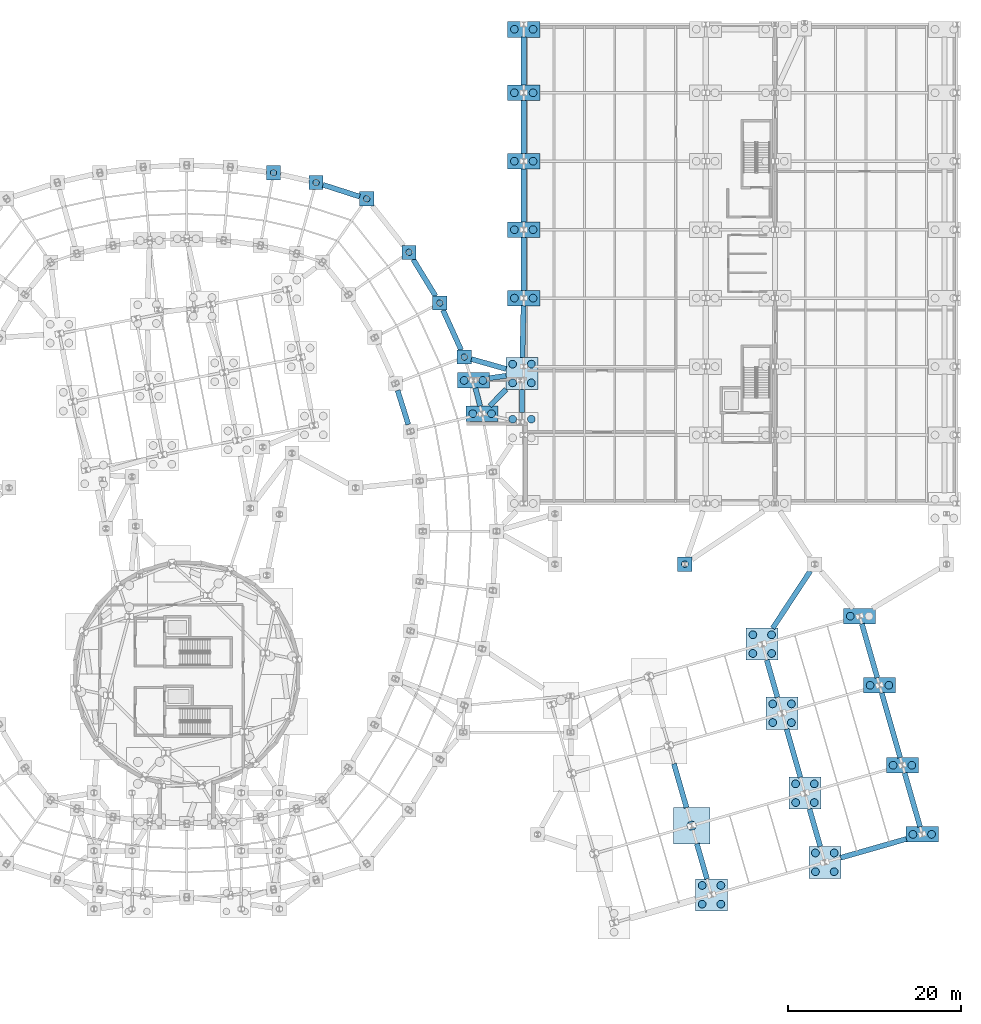
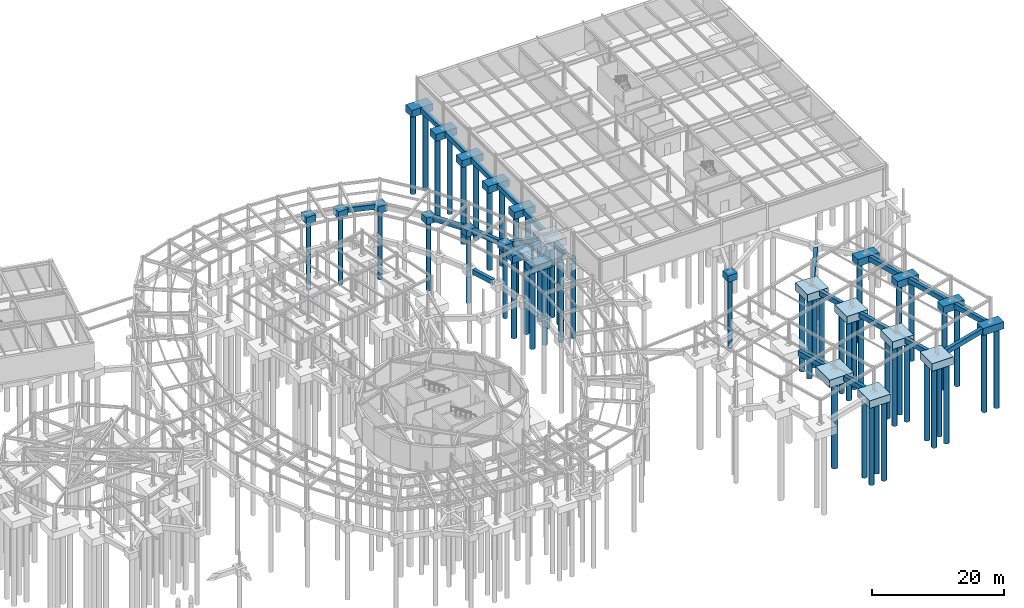
# One storey, part 8 of 50: 55 piles, 49 footings.
"""IFC4 building model written with IfcOpenShell, lengths in metres."""

from ifc_helpers import new_model, si_unit, direction, frame, origin, origin_2d, place, context, subcontext, project, spatial, rectangle, circle, extrude, material, material_profile, profile_set, type_object, element, save


model = new_model("IFC4")

# Units and contexts
model_context = context("Model", 3, precision=1e-05, world=origin(), true_north=direction((0.0, 1.0)))
body_context = subcontext(model_context, "Body", "Model", "MODEL_VIEW")
ifc_project = project(units=[si_unit("LENGTHUNIT", "METRE"), si_unit("AREAUNIT", "SQUARE_METRE"), si_unit("VOLUMEUNIT", "CUBIC_METRE"), si_unit("PLANEANGLEUNIT", "RADIAN"), si_unit("MASSUNIT", "GRAM", prefix="KILO")], contexts=[model_context])

# Site, building, storey
site_placement = place(None, origin())
site = spatial("IfcSite", under=ifc_project, at=site_placement, CompositionType="ELEMENT")
building_placement = place(site_placement, origin())
building = spatial("IfcBuilding", under=site, at=building_placement, Name="Varnklinge Art Gallery", CompositionType="ELEMENT")
storey_placement = place(building_placement, frame((0.0, 0.0, -4.800048828125)))
storey = spatial("IfcBuildingStorey", under=building, at=storey_placement, Name="B01", CompositionType="ELEMENT", Elevation=-4.800048828125)

# Footings
ifc_material_1 = material(Name="Concrete C35/45", Category="concrete")
footing_type_1 = type_object("IfcFootingType", Name="FB-08", PredefinedType="FOOTING_BEAM", material=ifc_material_1)
footing_1_placement = place(storey_placement, frame((114.199951171875, 70.02490234375, -0.89990234375), z_axis=(0.0, 0.0, 1.0), x_axis=(0.0, 1.0, 0.0)))
element("IfcFooting", 1, at=footing_1_placement, inside=storey, type_object=footing_type_1, Name="B01 Ground Tie Beam FBM-166", PredefinedType="FOOTING_BEAM", context=body_context, shape_type="SweptSolid", body=[
    extrude(rectangle(XDim=2.68994140625, YDim=0.60009765625, at=origin_2d()), origin(), (0.0, 0.0, 1.0), 0.89990234375),
])
ifc_material_2 = material(Name="Concrete C35/45", Category="concrete")
footing_type_2 = type_object("IfcFootingType", Name="FB-14", PredefinedType="FOOTING_BEAM", material=ifc_material_2)
footing_2_placement = place(storey_placement, frame((134.9658203125, 16.8974609375, -0.89990234375), z_axis=(0.0, 0.0, 1.0), x_axis=(-0.275637355817, 0.961261695938, 0.0)))
element("IfcFooting", 2, at=footing_2_placement, inside=storey, type_object=footing_type_2, Name="B01 Ground Tie Beam FBM-020", PredefinedType="FOOTING_BEAM", context=body_context, shape_type="SweptSolid", body=[
    extrude(rectangle(XDim=4.23291015625, YDim=0.60009765625, at=origin_2d()), origin(), (0.0, 0.0, 1.0), 0.89990234375),
])
footing_3_placement = place(storey_placement, frame((100.4619140625, 69.283447265625, -0.89990234375), z_axis=(0.0, 0.0, 1.0), x_axis=(-0.299873410064, 0.953979002881, 0.0)))
element("IfcFooting", 3, at=footing_3_placement, inside=storey, type_object=footing_type_2, Name="B01 Ground Tie Beam FBM-171", PredefinedType="FOOTING_BEAM", context=body_context, shape_type="SweptSolid", body=[
    extrude(rectangle(XDim=4.122802734375, YDim=0.60009765625, at=origin_2d()), origin(), (0.0, 0.0, 1.0), 0.89990234375),
])
footing_4_placement = place(storey_placement, frame((110.360595703125, 74.294677734375, -0.89990234375), z_axis=(0.0, 0.0, 1.0), x_axis=(0.961693479997, -0.274127070043, 0.0)))
element("IfcFooting", 4, at=footing_4_placement, inside=storey, type_object=footing_type_2, Name="B01 Ground Tie Beam FBM-189", PredefinedType="FOOTING_BEAM", context=body_context, shape_type="SweptSolid", body=[
    extrude(rectangle(XDim=4.17919921875, YDim=0.60009765625, at=origin_2d()), origin(), (0.0, 0.0, 1.0), 0.89990234375),
])
ifc_material_3 = material(Name="Concrete C35/45", Category="concrete")
footing_type_3 = type_object("IfcFootingType", Name="FB-15", PredefinedType="FOOTING_BEAM", material=ifc_material_3)
footing_5_placement = place(storey_placement, frame((111.42724609375, 70.407958984375, -1.199951171875), z_axis=(0.0, 0.0, 1.0), x_axis=(0.704634209964, 0.709570736537, 0.0)))
element("IfcFooting", 5, at=footing_5_placement, inside=storey, type_object=footing_type_3, Name="B01 Ground Tie Beam FBM-175", PredefinedType="FOOTING_BEAM", context=body_context, shape_type="SweptSolid", body=[
    extrude(rectangle(XDim=2.711669921875, YDim=0.60009765625, at=origin_2d()), origin(), (0.0, 0.0, 1.0), 0.89990234375),
])
ifc_material_4 = material(Name="Concrete C35/45", Category="concrete")
footing_type_4 = type_object("IfcFootingType", Name="FB-16", PredefinedType="FOOTING_BEAM", material=ifc_material_4)
footing_6_placement = place(storey_placement, frame((148.00341796875, 20.77099609375, -0.89990234375), z_axis=(0.0, 0.0, 1.0), x_axis=(-0.275637355817, 0.961261695938, 0.0)))
element("IfcFooting", 6, at=footing_6_placement, inside=storey, type_object=footing_type_4, Name="B01 Ground Tie Beam FBM-031", PredefinedType="FOOTING_BEAM", context=body_context, shape_type="SweptSolid", body=[
    extrude(rectangle(XDim=4.491943359375, YDim=0.60009765625, at=origin_2d()), origin(), (0.0, 0.0, 1.0), 0.89990234375),
])
footing_7_placement = place(storey_placement, frame((143.070068359375, 37.9775390625, -0.89990234375), z_axis=(0.0, 0.0, 1.0), x_axis=(-0.275637355817, 0.961261695938, 0.0)))
element("IfcFooting", 7, at=footing_7_placement, inside=storey, type_object=footing_type_4, Name="B01 Ground Tie Beam FBM-090", PredefinedType="FOOTING_BEAM", context=body_context, shape_type="SweptSolid", body=[
    extrude(rectangle(XDim=4.4931640625, YDim=0.60009765625, at=origin_2d()), origin(), (0.0, 0.0, 1.0), 0.89990234375),
])
footing_8_placement = place(storey_placement, frame((93.3505859375, 94.298583984375, -0.89990234375), z_axis=(0.0, 0.0, 1.0), x_axis=(-0.952076024345, 0.305861478234, 0.0)))
element("IfcFooting", 8, at=footing_8_placement, inside=storey, type_object=footing_type_4, Name="B01 Ground Tie Beam FBM-241", PredefinedType="FOOTING_BEAM", context=body_context, shape_type="SweptSolid", body=[
    extrude(rectangle(XDim=4.444091796875, YDim=0.60009765625, at=origin_2d()), origin(), (0.0, 0.0, 1.0), 0.89990234375),
])
ifc_material_5 = material(Name="Concrete C35/45", Category="concrete")
footing_type_5 = type_object("IfcFootingType", Name="FB-17", PredefinedType="FOOTING_BEAM", material=ifc_material_5)
footing_9_placement = place(storey_placement, frame((145.537109375, 29.3740234375, -0.89990234375), z_axis=(0.0, 0.0, 1.0), x_axis=(-0.275637355817, 0.961261695938, 0.0)))
element("IfcFooting", 9, at=footing_9_placement, inside=storey, type_object=footing_type_5, Name="B01 Ground Tie Beam FBM-066", PredefinedType="FOOTING_BEAM", context=body_context, shape_type="SweptSolid", body=[
    extrude(rectangle(XDim=5.79248046875, YDim=0.60009765625, at=origin_2d()), origin(), (0.0, 0.0, 1.0), 0.89990234375),
])
ifc_material_6 = material(Name="Concrete C35/45", Category="concrete")
footing_type_6 = type_object("IfcFootingType", Name="FB-18", PredefinedType="FOOTING_BEAM", material=ifc_material_6)
footing_10_placement = place(storey_placement, frame((154.7705078125, 18.39453125, -0.89990234375), z_axis=(0.0, 0.0, 1.0), x_axis=(0.961261695938, 0.275637355817, 0.0)))
element("IfcFooting", 10, at=footing_10_placement, inside=storey, type_object=footing_type_6, Name="B01 Ground Tie Beam FBM-032", PredefinedType="FOOTING_BEAM", context=body_context, shape_type="SweptSolid", body=[
    extrude(rectangle(XDim=7.892578125, YDim=0.60009765625, at=origin_2d()), origin(), (0.0, 0.0, 1.0), 0.89990234375),
])
footing_11_placement = place(storey_placement, frame((156.782958984375, 32.59912109375, -0.89990234375), z_axis=(0.0, 0.0, 1.0), x_axis=(-0.275637355817, 0.961261695938, 0.0)))
element("IfcFooting", 11, at=footing_11_placement, inside=storey, type_object=footing_type_6, Name="B01 Ground Tie Beam FBM-076", PredefinedType="FOOTING_BEAM", context=body_context, shape_type="SweptSolid", body=[
    extrude(rectangle(XDim=7.768798828125, YDim=0.60009765625, at=origin_2d()), origin(), (0.0, 0.0, 1.0), 0.89990234375),
])
footing_12_placement = place(storey_placement, frame((145.30029296875, 47.095947265625, -0.89990234375), z_axis=(0.0, 0.0, 1.0), x_axis=(0.549606187772, 0.835423867485, 0.0)))
element("IfcFooting", 12, at=footing_12_placement, inside=storey, type_object=footing_type_6, Name="B01 Ground Tie Beam FBM-108", PredefinedType="FOOTING_BEAM", context=body_context, shape_type="SweptSolid", body=[
    extrude(rectangle(XDim=7.897705078125, YDim=0.60009765625, at=origin_2d()), origin(), (0.0, 0.0, 1.0), 0.89990234375),
])
ifc_material_7 = material(Name="Concrete C35/45", Category="concrete")
footing_type_7 = type_object("IfcFootingType", Name="FB-20", PredefinedType="FOOTING_BEAM", material=ifc_material_7)
footing_13_placement = place(storey_placement, frame((111.39990234375, 72.800048828125, -1.199951171875), z_axis=(0.0, 0.0, 1.0), x_axis=(0.989949746297, 0.141419587774, 0.0)))
element("IfcFooting", 13, at=footing_13_placement, inside=storey, type_object=footing_type_7, Name="B01 Ground Tie Beam FBM-181", PredefinedType="FOOTING_BEAM", context=body_context, shape_type="SweptSolid", body=[
    extrude(rectangle(XDim=1.959716796875, YDim=0.60009765625, at=origin_2d()), origin(), (0.0, 0.0, 1.0), 0.89990234375),
])
ifc_material_8 = material(Name="Concrete C35/45", Category="concrete")
footing_type_8 = type_object("IfcFootingType", Name="FB-21", PredefinedType="FOOTING_BEAM", material=ifc_material_8)
footing_14_placement = place(storey_placement, frame((159.25, 23.99609375, -0.89990234375), z_axis=(0.0, 0.0, 1.0), x_axis=(-0.275637355817, 0.961261695938, 0.0)))
element("IfcFooting", 14, at=footing_14_placement, inside=storey, type_object=footing_type_8, Name="B01 Ground Tie Beam FBM-040", PredefinedType="FOOTING_BEAM", context=body_context, shape_type="SweptSolid", body=[
    extrude(rectangle(XDim=6.46875, YDim=0.60009765625, at=origin_2d()), origin(), (0.0, 0.0, 1.0), 0.89990234375),
])
footing_15_placement = place(storey_placement, frame((154.31640625, 41.202392578125, -0.89990234375), z_axis=(0.0, 0.0, 1.0), x_axis=(-0.275469579804, 0.961309789091, 0.0)))
element("IfcFooting", 15, at=footing_15_placement, inside=storey, type_object=footing_type_8, Name="B01 Ground Tie Beam FBM-097", PredefinedType="FOOTING_BEAM", context=body_context, shape_type="SweptSolid", body=[
    extrude(rectangle(XDim=6.469482421875, YDim=0.60009765625, at=origin_2d()), origin(), (0.0, 0.0, 1.0), 0.89990234375),
])
ifc_material_9 = material(Name="Concrete C35/45", Category="concrete")
footing_type_9 = type_object("IfcFootingType", Name="FB-22", PredefinedType="FOOTING_BEAM", material=ifc_material_9)
footing_16_placement = place(storey_placement, frame((132.462890625, 25.6259765625, -0.89990234375), z_axis=(0.0, 0.0, 1.0), x_axis=(-0.275637355817, 0.961261695938, 0.0)))
element("IfcFooting", 16, at=footing_16_placement, inside=storey, type_object=footing_type_9, Name="B01 Ground Tie Beam FBM-041", PredefinedType="FOOTING_BEAM", context=body_context, shape_type="SweptSolid", body=[
    extrude(rectangle(XDim=5.272216796875, YDim=0.60009765625, at=origin_2d()), origin(), (0.0, 0.0, 1.0), 0.89990234375),
])
ifc_material_10 = material(Name="Concrete C35/45", Category="concrete")
footing_type_10 = type_object("IfcFootingType", Name="FB-28", PredefinedType="FOOTING_BEAM", material=ifc_material_10)
footing_17_placement = place(storey_placement, frame((106.131103515625, 78.214111328125, -0.89990234375), z_axis=(0.0, 0.0, 1.0), x_axis=(-0.413422293217, 0.910539404678, 0.0)))
element("IfcFooting", 17, at=footing_17_placement, inside=storey, type_object=footing_type_10, Name="B01 Ground Tie Beam FBM-188", PredefinedType="FOOTING_BEAM", context=body_context, shape_type="SweptSolid", body=[
    extrude(rectangle(XDim=5.078125, YDim=0.60009765625, at=origin_2d()), origin(), (0.0, 0.0, 1.0), 0.89990234375),
])
footing_18_placement = place(storey_placement, frame((102.93310546875, 84.2529296875, -0.89990234375), z_axis=(0.0, 0.0, 1.0), x_axis=(-0.520860651188, 0.85364171761, 0.0)))
element("IfcFooting", 18, at=footing_18_placement, inside=storey, type_object=footing_type_10, Name="B01 Ground Tie Beam FBM-203", PredefinedType="FOOTING_BEAM", context=body_context, shape_type="SweptSolid", body=[
    extrude(rectangle(XDim=4.9599609375, YDim=0.60009765625, at=origin_2d()), origin(), (0.0, 0.0, 1.0), 0.89990234375),
])
ifc_material_11 = material(Name="Concrete C35/45", Category="concrete")
footing_type_11 = type_object("IfcFootingType", Name="FB-32", PredefinedType="FOOTING_BEAM", material=ifc_material_11)
footing_19_placement = place(storey_placement, frame((109.09912109375, 70.48291015625, -1.199951171875), z_axis=(0.0, 0.0, 1.0), x_axis=(-0.251900457292, 0.967753150145, 0.0)))
element("IfcFooting", 19, at=footing_19_placement, inside=storey, type_object=footing_type_11, Name="B01 Ground Tie Beam FBM-174", PredefinedType="FOOTING_BEAM", context=body_context, shape_type="SweptSolid", body=[
    extrude(rectangle(XDim=2.14306640625, YDim=0.60009765625, at=origin_2d()), origin(), (0.0, 0.0, 1.0), 0.89990234375),
])
ifc_material_12 = material(Name="Concrete C35/45", Category="concrete")
footing_type_12 = type_object("IfcFootingType", Name="FB-35", PredefinedType="FOOTING_BEAM", material=ifc_material_12)
footing_20_placement = place(storey_placement, frame((114.310791015625, 78.02490234375, -0.89990234375), z_axis=(0.0, 0.0, 1.0), x_axis=(-0.023036308188, -0.999734629042, 0.0)))
element("IfcFooting", 20, at=footing_20_placement, inside=storey, type_object=footing_type_12, Name="B01 Ground Tie Beam FBM-206", PredefinedType="FOOTING_BEAM", context=body_context, shape_type="SweptSolid", body=[
    extrude(rectangle(XDim=5.99169921875, YDim=0.60009765625, at=origin_2d()), origin(), (0.0, 0.0, 1.0), 0.89990234375),
])
ifc_material_13 = material(Name="Concrete C35/45", Category="concrete")
footing_type_13 = type_object("IfcFootingType", Name="FB-36", PredefinedType="FOOTING_BEAM", material=ifc_material_13)
for number, where, z_axis, x_axis, name in (
    (21, (114.39990234375, 85.85009765625, -0.89990234375), (0.0, 0.0, 1.0), (0.0, 1.0, 0.0), "B01 Ground Tie Beam FBM-205"),
    (22, (114.39990234375, 93.75, -0.89990234375), (0.0, 0.0, 1.0), (0.0, 1.0, 0.0), "B01 Ground Tie Beam FBM-233"),
    (23, (114.39990234375, 101.64990234375, -0.89990234375), (0.0, 0.0, 1.0), (0.0, 1.0, 0.0), "B01 Ground Tie Beam FBM-249"),
):
    element("IfcFooting", number, at=place(storey_placement, frame(where, z_axis=z_axis, x_axis=x_axis)), inside=storey, type_object=footing_type_13, Name=name, PredefinedType="FOOTING_BEAM", context=body_context, shape_type="SweptSolid", body=[
        extrude(rectangle(XDim=6.139892578125, YDim=0.60009765625, at=origin_2d()), origin(), (0.0, 0.0, 1.0), 0.89990234375),
    ])
ifc_material_14 = material(Name="Concrete C35/45", Category="concrete")
footing_type_14 = type_object("IfcFootingType", Name="FB-40", PredefinedType="FOOTING_BEAM", material=ifc_material_14)
footing_21_placement = place(storey_placement, frame((114.39990234375, 109.25, -0.89990234375), z_axis=(0.0, 0.0, 1.0), x_axis=(0.0, 1.0, 0.0)))
element("IfcFooting", 24, at=footing_21_placement, inside=storey, type_object=footing_type_14, Name="B01 Ground Tie Beam FBM-258", PredefinedType="FOOTING_BEAM", context=body_context, shape_type="SweptSolid", body=[
    extrude(rectangle(XDim=5.5400390625, YDim=0.60009765625, at=origin_2d()), origin(), (0.0, 0.0, 1.0), 0.89990234375),
])
ifc_material_15 = material(Name="Concrete C35/45", Category="concrete")
footing_type_15 = type_object("IfcFootingType", Name="PC-01", PredefinedType="PILE_CAP", material=ifc_material_15)
for number, where, z_axis, x_axis, name in (
    (25, (107.5458984375, 75.096923828125, -1.2998046875), (0.0, 0.0, 1.0), (1.0, 0.0, 0.0), "B01 Pile Cap FCAP-152"),
    (26, (104.716064453125, 81.3310546875, -1.2998046875), (0.0, 0.0, 1.0), (1.0, 0.0, 0.0), "B01 Pile Cap FCAP-163"),
    (27, (101.14990234375, 87.175048828125, -1.2998046875), (0.0, 0.0, 1.0), (1.0, 0.0, 0.0), "B01 Pile Cap FCAP-182"),
    (28, (96.27099609375, 93.360107421875, -1.2998046875), (0.0, 0.0, 1.0), (1.0, 0.0, 0.0), "B01 Pile Cap FCAP-197"),
    (29, (90.429931640625, 95.237060546875, -1.2998046875), (0.0, 0.0, 1.0), (1.0, 0.0, 0.0), "B01 Pile Cap FCAP-200"),
    (30, (85.52001953125, 96.35498046875, -1.2998046875), (0.0, 0.0, 1.0), (1.0, 0.0, 0.0), "B01 Pile Cap FCAP-202"),
):
    element("IfcFooting", number, at=place(storey_placement, frame(where, z_axis=z_axis, x_axis=x_axis)), inside=storey, type_object=footing_type_15, Name=name, PredefinedType="PILE_CAP", context=body_context, shape_type="SweptSolid", body=[
        extrude(rectangle(XDim=1.64990234375, YDim=1.64990234375, at=origin_2d()), origin(), (0.0, 0.0, 1.0), 1.300048828125),
    ])
ifc_material_16 = material(Name="Concrete C35/45", Category="concrete")
footing_type_16 = type_object("IfcFootingType", Name="PC-02", PredefinedType="PILE_CAP", material=ifc_material_16)
for number, where, z_axis, x_axis, name in (
    (31, (136.073974609375, 13.032958984375, -1.39990234375), (0.0, 0.0, 1.0), (1.0, 0.0, 0.0), "B01 Pile Cap FCAP-015"),
    (32, (149.14697265625, 16.781982421875, -1.39990234375), (0.0, 0.0, 1.0), (1.0, 0.0, 0.0), "B01 Pile Cap FCAP-022"),
    (33, (146.860107421875, 24.760009765625, -1.39990234375), (0.0, 0.0, 1.0), (1.0, 0.0, 0.0), "B01 Pile Cap FCAP-047"),
    (34, (144.214111328125, 33.988037109375, -1.39990234375), (0.0, 0.0, 1.0), (1.0, 0.0, 0.0), "B01 Pile Cap FCAP-067"),
    (35, (141.926025390625, 41.967041015625, -1.39990234375), (0.0, 0.0, 1.0), (1.0, 0.0, 0.0), "B01 Pile Cap FCAP-082"),
):
    element("IfcFooting", number, at=place(storey_placement, frame(where, z_axis=z_axis, x_axis=x_axis)), inside=storey, type_object=footing_type_16, Name=name, PredefinedType="PILE_CAP", context=body_context, shape_type="SweptSolid", body=[
        extrude(rectangle(XDim=3.699951171875, YDim=3.699951171875, at=origin_2d()), origin(), (0.0, 0.0, 1.0), 1.39990234375),
    ])
ifc_material_17 = material(Name="Concrete C35/45", Category="concrete")
footing_type_17 = type_object("IfcFootingType", Name="PC-03", PredefinedType="PILE_CAP", material=ifc_material_17)
footing_22_placement = place(storey_placement, frame((133.0, 51.199951171875, -1.19970703125), z_axis=(0.0, 0.0, 1.0), x_axis=(1.0, 0.0, 0.0)))
element("IfcFooting", 36, at=footing_22_placement, inside=storey, type_object=footing_type_17, Name="B01 Pile Cap FCAP-229", PredefinedType="PILE_CAP", context=body_context, shape_type="SweptSolid", body=[
    extrude(rectangle(XDim=1.64990234375, YDim=1.64990234375, at=origin_2d()), origin(), (0.0, 0.0, 1.0), 1.199951171875),
])
ifc_material_18 = material(Name="Concrete C35/45", Category="concrete")
footing_type_18 = type_object("IfcFootingType", Name="PC-05", PredefinedType="PILE_CAP", material=ifc_material_18)
footing_23_placement = place(storey_placement, frame((133.785888671875, 21.011962890625, -1.39990234375), z_axis=(0.0, 0.0, 1.0), x_axis=(1.0, 0.0, 0.0)))
element("IfcFooting", 37, at=footing_23_placement, inside=storey, type_object=footing_type_18, Name="B01 Pile Cap FCAP-029", PredefinedType="PILE_CAP", context=body_context, shape_type="SweptSolid", body=[
    extrude(rectangle(XDim=4.199951171875, YDim=4.199951171875, at=origin_2d()), origin(), (0.0, 0.0, 1.0), 1.39990234375),
])
ifc_material_19 = material(Name="Concrete C35/45", Category="concrete")
footing_type_19 = type_object("IfcFootingType", Name="PC-06", PredefinedType="PILE_CAP", material=ifc_material_19)
for number, where, z_axis, x_axis, name in (
    (38, (160.39404296875, 20.007080078125, -1.2998046875), (0.0, 0.0, 1.0), (1.0, 0.0, 0.0), "B01 Pile Cap FCAP-028"),
    (39, (158.10595703125, 27.985107421875, -1.2998046875), (0.0, 0.0, 1.0), (1.0, 0.0, 0.0), "B01 Pile Cap FCAP-056"),
    (40, (155.4599609375, 37.212890625, -1.2998046875), (0.0, 0.0, 1.0), (1.0, 0.0, 0.0), "B01 Pile Cap FCAP-072"),
    (41, (153.173095703125, 45.19189453125, -1.2998046875), (0.0, 0.0, 1.0), (1.0, 0.0, 0.0), "B01 Pile Cap FCAP-087"),
    (42, (109.597900390625, 68.56591796875, -1.60009765625), (0.0, 0.0, 1.0), (1.0, 0.0, 0.0), "B01 Pile Cap FCAP-139"),
    (43, (108.60009765625, 72.39990234375, -1.60009765625), (0.0, 0.0, 1.0), (1.0, 0.0, 0.0), "B01 Pile Cap FCAP-144"),
    (44, (114.39990234375, 81.89990234375, -1.2998046875), (0.0, 0.0, 1.0), (1.0, 0.0, 0.0), "B01 Pile Cap FCAP-165"),
    (45, (114.39990234375, 89.800048828125, -1.2998046875), (0.0, 0.0, 1.0), (1.0, 0.0, 0.0), "B01 Pile Cap FCAP-189"),
    (46, (114.39990234375, 97.699951171875, -1.2998046875), (0.0, 0.0, 1.0), (1.0, 0.0, 0.0), "B01 Pile Cap FCAP-206"),
    (47, (114.39990234375, 105.60009765625, -1.2998046875), (0.0, 0.0, 1.0), (1.0, 0.0, 0.0), "B01 Pile Cap FCAP-216"),
):
    element("IfcFooting", number, at=place(storey_placement, frame(where, z_axis=z_axis, x_axis=x_axis)), inside=storey, type_object=footing_type_19, Name=name, PredefinedType="PILE_CAP", context=body_context, shape_type="SweptSolid", body=[
        extrude(rectangle(XDim=3.699951171875, YDim=1.800048828125, at=origin_2d()), origin(), (0.0, 0.0, 1.0), 1.300048828125),
    ])
ifc_material_20 = material(Name="Concrete C35/45", Category="concrete")
footing_type_20 = type_object("IfcFootingType", Name="PC-12", PredefinedType="PILE_CAP", material=ifc_material_20)
footing_24_placement = place(storey_placement, frame((114.199951171875, 73.199951171875, -1.2998046875), z_axis=(0.0, 0.0, 1.0), x_axis=(1.0, 0.0, 0.0)))
element("IfcFooting", 48, at=footing_24_placement, inside=storey, type_object=footing_type_20, Name="B01 Pile Cap FCAP-146", PredefinedType="PILE_CAP", context=body_context, shape_type="SweptSolid", body=[
    extrude(rectangle(XDim=3.699951171875, YDim=3.699951171875, at=origin_2d()), origin(), (0.0, 0.0, 1.0), 1.300048828125),
])
ifc_material_21 = material(Name="Concrete C35/45", Category="concrete")
footing_type_21 = type_object("IfcFootingType", Name="PC-15", PredefinedType="PILE_CAP", material=ifc_material_21)
footing_25_placement = place(storey_placement, frame((114.39990234375, 112.925048828125, -1.2998046875), z_axis=(0.0, 0.0, 1.0), x_axis=(1.0, 0.0, 0.0)))
element("IfcFooting", 49, at=footing_25_placement, inside=storey, type_object=footing_type_21, Name="B01 Pile Cap FCAP-221", PredefinedType="PILE_CAP", context=body_context, shape_type="SweptSolid", body=[
    extrude(rectangle(XDim=3.699951171875, YDim=1.85009765625, at=origin_2d()), origin(), (0.0, 0.0, 1.0), 1.300048828125),
])

# Piles
ifc_material_22 = material(Name="Concrete C35/45", Category="concrete")
ifc_material_profile_1 = material_profile(ifc_material_22, circle(Radius=0.52490234375, at=origin_2d()), Name="PILE D1050")
ifc_profile_set_1 = profile_set([ifc_material_profile_1], Name="Concrete C35/45")
pile_type_1 = type_object("IfcPileType", Name="PIL-D1050", PredefinedType="BORED", material=ifc_profile_set_1)
pile_1_placement = place(storey_placement, frame((133.785888671875, 21.011962890625, -1.300048828125), z_axis=(0.0, 0.0, -1.0), x_axis=(1.0, 0.0, 0.0)))
element("IfcPile", 50, at=pile_1_placement, inside=storey, type_object=pile_type_1, Name="B01 Bored Pile PILE-D1050-043", PredefinedType="BORED", context=body_context, shape_type="SweptSolid", body=[
    extrude(circle(Radius=0.52490234375, at=origin_2d()), origin(), (0.0, 0.0, 1.0), 16.699951171875),
])
ifc_material_23 = material(Name="Concrete C35/45", Category="concrete")
ifc_material_profile_2 = material_profile(ifc_material_23, circle(Radius=0.375, at=origin_2d()), Name="PILE D750")
ifc_profile_set_2 = profile_set([ifc_material_profile_2], Name="Concrete C35/45")
pile_type_2 = type_object("IfcPileType", Name="PIL-D750", PredefinedType="BORED", material=ifc_profile_set_2)
for number, where, z_axis, x_axis, name in (
    (51, (107.5458984375, 75.096923828125, -1.199951171875), (0.0, 0.0, -1.0), (1.0, 0.0, 0.0), "B01 Bored Pile PILE-D750-276"),
    (52, (104.716064453125, 81.3310546875, -1.199951171875), (0.0, 0.0, -1.0), (1.0, 0.0, 0.0), "B01 Bored Pile PILE-D750-298"),
    (53, (101.14990234375, 87.175048828125, -1.199951171875), (0.0, 0.0, -1.0), (1.0, 0.0, 0.0), "B01 Bored Pile PILE-D750-329"),
    (54, (96.27099609375, 93.360107421875, -1.199951171875), (0.0, 0.0, -1.0), (1.0, 0.0, 0.0), "B01 Bored Pile PILE-D750-354"),
    (55, (90.429931640625, 95.237060546875, -1.199951171875), (0.0, 0.0, -1.0), (1.0, 0.0, 0.0), "B01 Bored Pile PILE-D750-358"),
    (56, (85.52001953125, 96.35498046875, -1.199951171875), (0.0, 0.0, -1.0), (1.0, 0.0, 0.0), "B01 Bored Pile PILE-D750-360"),
):
    element("IfcPile", number, at=place(storey_placement, frame(where, z_axis=z_axis, x_axis=x_axis)), inside=storey, type_object=pile_type_2, Name=name, PredefinedType="BORED", context=body_context, shape_type="SweptSolid", body=[
        extrude(circle(Radius=0.375, at=origin_2d()), origin(), (0.0, 0.0, 1.0), 12.800048828125),
    ])
pile_2_placement = place(storey_placement, frame((133.0, 51.199951171875, -1.099853515625), z_axis=(0.0, 0.0, -1.0), x_axis=(1.0, 0.0, 0.0)))
element("IfcPile", 57, at=pile_2_placement, inside=storey, type_object=pile_type_2, Name="B01 Bored Pile PILE-D750-406", PredefinedType="BORED", context=body_context, shape_type="SweptSolid", body=[
    extrude(circle(Radius=0.375, at=origin_2d()), origin(), (0.0, 0.0, 1.0), 12.89990234375),
])
ifc_material_24 = material(Name="Concrete C35/45", Category="concrete")
ifc_material_profile_3 = material_profile(ifc_material_24, circle(Radius=0.449951171875, at=origin_2d()), Name="PILE D900")
ifc_profile_set_3 = profile_set([ifc_material_profile_3], Name="Concrete C35/45")
pile_type_3 = type_object("IfcPileType", Name="PIL-D900", PredefinedType="BORED", material=ifc_profile_set_3)
for number, where, z_axis, x_axis, name in (
    (58, (134.993896484375, 11.952880859375, -1.300048828125), (0.0, 0.0, -1.0), (1.0, 0.0, 0.0), "B01 Bored Pile PILE-D900-022"),
    (59, (134.993896484375, 14.113037109375, -1.300048828125), (0.0, 0.0, -1.0), (1.0, 0.0, 0.0), "B01 Bored Pile PILE-D900-023"),
    (60, (137.154052734375, 11.952880859375, -1.300048828125), (0.0, 0.0, -1.0), (1.0, 0.0, 0.0), "B01 Bored Pile PILE-D900-024"),
    (61, (137.154052734375, 14.113037109375, -1.300048828125), (0.0, 0.0, -1.0), (1.0, 0.0, 0.0), "B01 Bored Pile PILE-D900-025"),
    (62, (148.06689453125, 15.701904296875, -1.300048828125), (0.0, 0.0, -1.0), (1.0, 0.0, 0.0), "B01 Bored Pile PILE-D900-032"),
    (63, (148.06689453125, 17.862060546875, -1.300048828125), (0.0, 0.0, -1.0), (1.0, 0.0, 0.0), "B01 Bored Pile PILE-D900-033"),
    (64, (150.22705078125, 15.701904296875, -1.300048828125), (0.0, 0.0, -1.0), (1.0, 0.0, 0.0), "B01 Bored Pile PILE-D900-034"),
    (65, (150.22705078125, 17.862060546875, -1.300048828125), (0.0, 0.0, -1.0), (1.0, 0.0, 0.0), "B01 Bored Pile PILE-D900-035"),
):
    element("IfcPile", number, at=place(storey_placement, frame(where, z_axis=z_axis, x_axis=x_axis)), inside=storey, type_object=pile_type_3, Name=name, PredefinedType="BORED", context=body_context, shape_type="SweptSolid", body=[
        extrude(circle(Radius=0.449951171875, at=origin_2d()), origin(), (0.0, 0.0, 1.0), 14.699951171875),
    ])
for number, where, z_axis, x_axis, name in (
    (66, (159.31396484375, 20.007080078125, -1.199951171875), (0.0, 0.0, -1.0), (1.0, 0.0, 0.0), "B01 Bored Pile PILE-D900-041"),
    (67, (161.47412109375, 20.007080078125, -1.199951171875), (0.0, 0.0, -1.0), (1.0, 0.0, 0.0), "B01 Bored Pile PILE-D900-042"),
):
    element("IfcPile", number, at=place(storey_placement, frame(where, z_axis=z_axis, x_axis=x_axis)), inside=storey, type_object=pile_type_3, Name=name, PredefinedType="BORED", context=body_context, shape_type="SweptSolid", body=[
        extrude(circle(Radius=0.449951171875, at=origin_2d()), origin(), (0.0, 0.0, 1.0), 14.800048828125),
    ])
for number, where, z_axis, x_axis, name in (
    (68, (145.780029296875, 23.679931640625, -1.300048828125), (0.0, 0.0, -1.0), (1.0, 0.0, 0.0), "B01 Bored Pile PILE-D900-063"),
    (69, (145.780029296875, 25.840087890625, -1.300048828125), (0.0, 0.0, -1.0), (1.0, 0.0, 0.0), "B01 Bored Pile PILE-D900-064"),
    (70, (147.93994140625, 23.679931640625, -1.300048828125), (0.0, 0.0, -1.0), (1.0, 0.0, 0.0), "B01 Bored Pile PILE-D900-065"),
    (71, (147.93994140625, 25.840087890625, -1.300048828125), (0.0, 0.0, -1.0), (1.0, 0.0, 0.0), "B01 Bored Pile PILE-D900-066"),
):
    element("IfcPile", number, at=place(storey_placement, frame(where, z_axis=z_axis, x_axis=x_axis)), inside=storey, type_object=pile_type_3, Name=name, PredefinedType="BORED", context=body_context, shape_type="SweptSolid", body=[
        extrude(circle(Radius=0.449951171875, at=origin_2d()), origin(), (0.0, 0.0, 1.0), 14.699951171875),
    ])
for number, where, z_axis, x_axis, name in (
    (72, (157.02587890625, 27.985107421875, -1.199951171875), (0.0, 0.0, -1.0), (1.0, 0.0, 0.0), "B01 Bored Pile PILE-D900-078"),
    (73, (159.18603515625, 27.985107421875, -1.199951171875), (0.0, 0.0, -1.0), (1.0, 0.0, 0.0), "B01 Bored Pile PILE-D900-079"),
):
    element("IfcPile", number, at=place(storey_placement, frame(where, z_axis=z_axis, x_axis=x_axis)), inside=storey, type_object=pile_type_3, Name=name, PredefinedType="BORED", context=body_context, shape_type="SweptSolid", body=[
        extrude(circle(Radius=0.449951171875, at=origin_2d()), origin(), (0.0, 0.0, 1.0), 14.800048828125),
    ])
for number, where, z_axis, x_axis, name in (
    (74, (143.134033203125, 32.907958984375, -1.300048828125), (0.0, 0.0, -1.0), (1.0, 0.0, 0.0), "B01 Bored Pile PILE-D900-091"),
    (75, (143.134033203125, 35.068115234375, -1.300048828125), (0.0, 0.0, -1.0), (1.0, 0.0, 0.0), "B01 Bored Pile PILE-D900-092"),
    (76, (145.2939453125, 32.907958984375, -1.300048828125), (0.0, 0.0, -1.0), (1.0, 0.0, 0.0), "B01 Bored Pile PILE-D900-093"),
    (77, (145.2939453125, 35.068115234375, -1.300048828125), (0.0, 0.0, -1.0), (1.0, 0.0, 0.0), "B01 Bored Pile PILE-D900-094"),
):
    element("IfcPile", number, at=place(storey_placement, frame(where, z_axis=z_axis, x_axis=x_axis)), inside=storey, type_object=pile_type_3, Name=name, PredefinedType="BORED", context=body_context, shape_type="SweptSolid", body=[
        extrude(circle(Radius=0.449951171875, at=origin_2d()), origin(), (0.0, 0.0, 1.0), 14.699951171875),
    ])
for number, where, z_axis, x_axis, name in (
    (78, (154.3798828125, 37.212890625, -1.199951171875), (0.0, 0.0, -1.0), (1.0, 0.0, 0.0), "B01 Bored Pile PILE-D900-100"),
    (79, (156.5400390625, 37.212890625, -1.199951171875), (0.0, 0.0, -1.0), (1.0, 0.0, 0.0), "B01 Bored Pile PILE-D900-101"),
):
    element("IfcPile", number, at=place(storey_placement, frame(where, z_axis=z_axis, x_axis=x_axis)), inside=storey, type_object=pile_type_3, Name=name, PredefinedType="BORED", context=body_context, shape_type="SweptSolid", body=[
        extrude(circle(Radius=0.449951171875, at=origin_2d()), origin(), (0.0, 0.0, 1.0), 14.800048828125),
    ])
for number, where, z_axis, x_axis, name in (
    (80, (140.845947265625, 40.886962890625, -1.300048828125), (0.0, 0.0, -1.0), (1.0, 0.0, 0.0), "B01 Bored Pile PILE-D900-121"),
    (81, (140.845947265625, 43.047119140625, -1.300048828125), (0.0, 0.0, -1.0), (1.0, 0.0, 0.0), "B01 Bored Pile PILE-D900-122"),
    (82, (143.006103515625, 40.886962890625, -1.300048828125), (0.0, 0.0, -1.0), (1.0, 0.0, 0.0), "B01 Bored Pile PILE-D900-123"),
    (83, (143.006103515625, 43.047119140625, -1.300048828125), (0.0, 0.0, -1.0), (1.0, 0.0, 0.0), "B01 Bored Pile PILE-D900-124"),
):
    element("IfcPile", number, at=place(storey_placement, frame(where, z_axis=z_axis, x_axis=x_axis)), inside=storey, type_object=pile_type_3, Name=name, PredefinedType="BORED", context=body_context, shape_type="SweptSolid", body=[
        extrude(circle(Radius=0.449951171875, at=origin_2d()), origin(), (0.0, 0.0, 1.0), 14.699951171875),
    ])
for number, where, z_axis, x_axis, name in (
    (84, (152.093017578125, 45.19189453125, -1.199951171875), (0.0, 0.0, -1.0), (1.0, 0.0, 0.0), "B01 Bored Pile PILE-D900-132"),
    (85, (113.1201171875, 67.929931640625, -1.199951171875), (0.0, 0.0, -1.0), (1.0, 0.0, 0.0), "B01 Bored Pile PILE-D900-227"),
    (86, (115.280029296875, 67.929931640625, -1.199951171875), (0.0, 0.0, -1.0), (1.0, 0.0, 0.0), "B01 Bored Pile PILE-D900-229"),
):
    element("IfcPile", number, at=place(storey_placement, frame(where, z_axis=z_axis, x_axis=x_axis)), inside=storey, type_object=pile_type_3, Name=name, PredefinedType="BORED", context=body_context, shape_type="SweptSolid", body=[
        extrude(circle(Radius=0.449951171875, at=origin_2d()), origin(), (0.0, 0.0, 1.0), 14.800048828125),
    ])
for number, where, z_axis, x_axis, name in (
    (87, (108.51806640625, 68.56591796875, -1.5), (0.0, 0.0, -1.0), (1.0, 0.0, 0.0), "B01 Bored Pile PILE-D900-243"),
    (88, (110.677978515625, 68.56591796875, -1.5), (0.0, 0.0, -1.0), (1.0, 0.0, 0.0), "B01 Bored Pile PILE-D900-244"),
    (89, (107.52001953125, 72.39990234375, -1.5), (0.0, 0.0, -1.0), (1.0, 0.0, 0.0), "B01 Bored Pile PILE-D900-255"),
    (90, (109.679931640625, 72.39990234375, -1.5), (0.0, 0.0, -1.0), (1.0, 0.0, 0.0), "B01 Bored Pile PILE-D900-256"),
):
    element("IfcPile", number, at=place(storey_placement, frame(where, z_axis=z_axis, x_axis=x_axis)), inside=storey, type_object=pile_type_3, Name=name, PredefinedType="BORED", context=body_context, shape_type="SweptSolid", body=[
        extrude(circle(Radius=0.449951171875, at=origin_2d()), origin(), (0.0, 0.0, 1.0), 14.5),
    ])
for number, where, z_axis, x_axis, name in (
    (91, (113.1201171875, 72.1201171875, -1.199951171875), (0.0, 0.0, -1.0), (1.0, 0.0, 0.0), "B01 Bored Pile PILE-D900-261"),
    (92, (113.1201171875, 74.280029296875, -1.199951171875), (0.0, 0.0, -1.0), (1.0, 0.0, 0.0), "B01 Bored Pile PILE-D900-262"),
    (93, (115.280029296875, 72.1201171875, -1.199951171875), (0.0, 0.0, -1.0), (1.0, 0.0, 0.0), "B01 Bored Pile PILE-D900-263"),
    (94, (115.280029296875, 74.280029296875, -1.199951171875), (0.0, 0.0, -1.0), (1.0, 0.0, 0.0), "B01 Bored Pile PILE-D900-264"),
    (95, (113.320068359375, 81.89990234375, -1.199951171875), (0.0, 0.0, -1.0), (1.0, 0.0, 0.0), "B01 Bored Pile PILE-D900-301"),
    (96, (115.47998046875, 81.89990234375, -1.199951171875), (0.0, 0.0, -1.0), (1.0, 0.0, 0.0), "B01 Bored Pile PILE-D900-302"),
    (97, (113.320068359375, 89.800048828125, -1.199951171875), (0.0, 0.0, -1.0), (1.0, 0.0, 0.0), "B01 Bored Pile PILE-D900-339"),
    (98, (115.47998046875, 89.800048828125, -1.199951171875), (0.0, 0.0, -1.0), (1.0, 0.0, 0.0), "B01 Bored Pile PILE-D900-340"),
    (99, (113.320068359375, 97.699951171875, -1.199951171875), (0.0, 0.0, -1.0), (1.0, 0.0, 0.0), "B01 Bored Pile PILE-D900-364"),
    (100, (115.47998046875, 97.699951171875, -1.199951171875), (0.0, 0.0, -1.0), (1.0, 0.0, 0.0), "B01 Bored Pile PILE-D900-365"),
    (101, (113.320068359375, 105.60009765625, -1.199951171875), (0.0, 0.0, -1.0), (1.0, 0.0, 0.0), "B01 Bored Pile PILE-D900-384"),
    (102, (115.47998046875, 105.60009765625, -1.199951171875), (0.0, 0.0, -1.0), (1.0, 0.0, 0.0), "B01 Bored Pile PILE-D900-385"),
    (103, (113.320068359375, 112.925048828125, -1.199951171875), (0.0, 0.0, -1.0), (1.0, 0.0, 0.0), "B01 Bored Pile PILE-D900-394"),
    (104, (115.47998046875, 112.925048828125, -1.199951171875), (0.0, 0.0, -1.0), (1.0, 0.0, 0.0), "B01 Bored Pile PILE-D900-395"),
):
    element("IfcPile", number, at=place(storey_placement, frame(where, z_axis=z_axis, x_axis=x_axis)), inside=storey, type_object=pile_type_3, Name=name, PredefinedType="BORED", context=body_context, shape_type="SweptSolid", body=[
        extrude(circle(Radius=0.449951171875, at=origin_2d()), origin(), (0.0, 0.0, 1.0), 14.800048828125),
    ])

save(model, "model.ifc")
